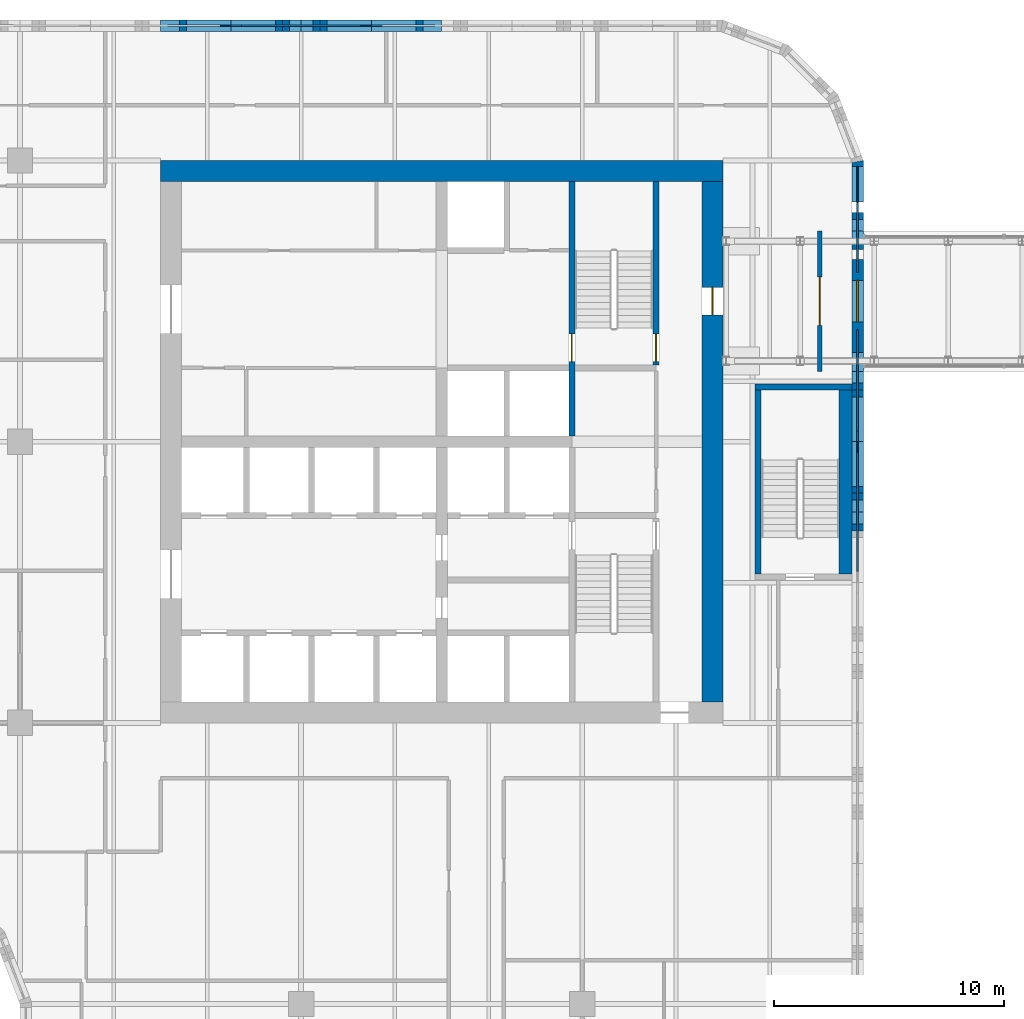
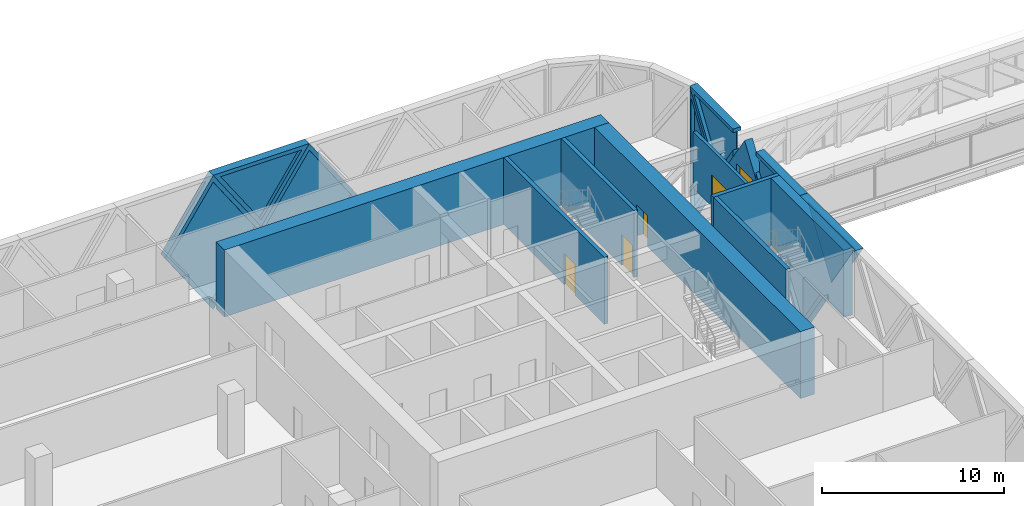
# One storey, part 18 of 30: 17 walls, 8 plates, 5 doors, 13 openings.
"""IFC4 building model written with IfcOpenShell, lengths in metres."""

from ifc_helpers import new_model, si_unit, direction, frame, frame_2d, origin, place, context, subcontext, project, spatial, polyline, rectangle, outline, extrude, faceted_brep, source, transform, mapped, material, layer, layer_set, type_object, element, fill, save


model = new_model("IFC4")

# Units and contexts
model_context = context("Model", 3, precision=1e-05, world=origin(), true_north=direction((0.0, 1.0)))
body_context = subcontext(model_context, "Body", "Model", "MODEL_VIEW")
ifc_project = project(units=[si_unit("LENGTHUNIT", "METRE"), si_unit("AREAUNIT", "SQUARE_METRE"), si_unit("VOLUMEUNIT", "CUBIC_METRE"), si_unit("PLANEANGLEUNIT", "RADIAN"), si_unit("MASSUNIT", "GRAM", prefix="KILO")], contexts=[model_context])

# Site, building, storey
site_placement = place(None, origin())
site = spatial("IfcSite", under=ifc_project, at=site_placement, CompositionType="ELEMENT")
building_placement = place(site_placement, origin())
building = spatial("IfcBuilding", under=site, at=building_placement, Name="Tessera Gate Towers", CompositionType="ELEMENT")
storey_placement = place(building_placement, frame((0.0, 0.0, 21.300048828125)))
storey = spatial("IfcBuildingStorey", under=building, at=storey_placement, Name="L04", CompositionType="ELEMENT", Elevation=21.300048828125)

# Wall, opening, door
ifc_material_1 = material(Name="Gypsum board on steel studs", Category="steel")
ifc_layer_1 = layer(ifc_material_1, 0.199951171875)
ifc_layer_set_1 = layer_set([ifc_layer_1], Name="BRIDGE LANDING WALL 200")
wall_type_1 = type_object("IfcWallType", Name="BRIDGE LANDING WALL 200", PredefinedType="PARTITIONING", material=ifc_layer_set_1)
wall_1_placement = place(storey_placement, frame((59.10009765625, 39.64990234375, 0.0), z_axis=(0.0, 0.0, 1.0), x_axis=(0.0, 1.0, 0.0)))
wall_1 = element("IfcWall", 1, at=wall_1_placement, inside=storey, type_object=wall_type_1, Name="L04 bridge landing wall", PredefinedType="PARTITIONING", context=body_context, shape_type="SweptSolid", body=[
    extrude(rectangle(XDim=6.10009765625, YDim=0.199951171875, at=frame_2d((3.050048828125, 0.0))), origin(), (0.0, 0.0, 1.0), 3.766845703125),
])
shared_shape_1 = source(origin(), body_context, "Body", "SweptSolid", [
    extrude(rectangle(XDim=2.10009765625, YDim=2.10009765625, at=frame_2d((1.050048828125, 1.050048828125))), frame((0.0, 0.10986328125, 0.0), z_axis=(0.0, -1.0, 0.0), x_axis=(1.0, 0.0, 0.0)), (0.0, 0.0, 1.0), 0.219970703125),
])
opening_1_placement = place(wall_1_placement, frame((2.0, 0.0, 0.0)))
opening_1 = element("IfcOpeningElement", 2, at=opening_1_placement, cuts=wall_1, Name="Opening XD-BR1-T1", PredefinedType="OPENING", context=body_context, shape_type="MappedRepresentation", body=[
    mapped(shared_shape_1, transform((0.0, 0.0, 0.0), scale=1.0)),
])
ifc_material_2 = material(Name="Hollow steel fire door", Category="steel")
door_type_1 = type_object("IfcDoorType", Name="CORE DOOR XD 2100x2100", OperationType="NOTDEFINED", PredefinedType="DOOR", material=ifc_material_2)
shared_shape_2 = source(origin(), body_context, "Body", "SweptSolid", [
    extrude(rectangle(XDim=2.10009765625, YDim=2.10009765625, at=frame_2d((1.050048828125, 1.050048828125))), frame((0.0, 0.02490234375, 0.0), z_axis=(0.0, -1.0, 0.0), x_axis=(1.0, 0.0, 0.0)), (0.0, 0.0, 1.0), 0.050048828125),
])
door_1_placement = place(opening_1_placement, origin())
door_1 = element("IfcDoor", 3, at=door_1_placement, inside=storey, type_object=door_type_1, Name="Bridge fire door", OperationType="DOUBLE_DOOR_SINGLE_SWING", OverallHeight=2.10009765625, OverallWidth=2.10009765625, PredefinedType="DOOR", context=body_context, shape_type="MappedRepresentation", body=[
    mapped(shared_shape_2, transform((0.0, 0.0, 0.0), scale=1.0)),
])
fill(opening_1, door_1)

ifc_material_3 = material(Name="Concrete C40/50", Category="concrete")
ifc_layer_2 = layer(ifc_material_3, 0.25)
ifc_layer_set_2 = layer_set([ifc_layer_2], Name="CORE ENCLOSURE WALL 250")
wall_type_2 = type_object("IfcWallType", Name="CORE ENCLOSURE WALL 250", PredefinedType="SOLIDWALL", material=ifc_layer_set_2)
wall_2_placement = place(storey_placement, frame((48.35009765625, 47.89990234375, 0.0), z_axis=(0.0, 0.0, 1.0), x_axis=(0.0, -1.0, 0.0)))
wall_2 = element("IfcWall", 4, at=wall_2_placement, inside=storey, type_object=wall_type_2, Name="L04 shaft and stair enclosure wall", PredefinedType="SOLIDWALL", context=body_context, shape_type="SweptSolid", body=[
    extrude(rectangle(XDim=11.0498046875, YDim=0.25, at=frame_2d((5.52490234375, 0.0))), origin(), (0.0, 0.0, 1.0), 4.5),
])
shared_shape_3 = source(origin(), body_context, "Body", "SweptSolid", [
    extrude(rectangle(XDim=1.199951171875, YDim=2.10009765625, at=frame_2d((0.60009765625, 1.050048828125))), frame((0.0, 0.135009765625, 0.0), z_axis=(0.0, -1.0, 0.0), x_axis=(1.0, 0.0, 0.0)), (0.0, 0.0, 1.0), 0.27001953125),
])
opening_2_placement = place(wall_2_placement, frame((6.625, 0.0, 0.0)))
opening_2 = element("IfcOpeningElement", 5, at=opening_2_placement, cuts=wall_2, Name="Opening SD-ST2-1", PredefinedType="OPENING", context=body_context, shape_type="MappedRepresentation", body=[
    mapped(shared_shape_3, transform((0.0, 0.0, 0.0), scale=1.0)),
])
ifc_material_4 = material(Name="Hollow steel fire door", Category="steel")
door_type_2 = type_object("IfcDoorType", Name="CORE DOOR SD 1200x2100", OperationType="NOTDEFINED", PredefinedType="DOOR", material=ifc_material_4)
shared_shape_4 = source(origin(), body_context, "Body", "SweptSolid", [
    extrude(rectangle(XDim=1.199951171875, YDim=2.10009765625, at=frame_2d((0.60009765625, 1.050048828125))), frame((0.0, 0.02490234375, 0.0), z_axis=(0.0, -1.0, 0.0), x_axis=(1.0, 0.0, 0.0)), (0.0, 0.0, 1.0), 0.050048828125),
])
door_2_placement = place(opening_2_placement, origin())
door_2 = element("IfcDoor", 6, at=door_2_placement, inside=storey, type_object=door_type_2, Name="Stair door", OperationType="SINGLE_SWING_RIGHT", OverallHeight=2.10009765625, OverallWidth=1.199951171875, PredefinedType="DOOR", context=body_context, shape_type="MappedRepresentation", body=[
    mapped(shared_shape_4, transform((0.0, 0.0, 0.0), scale=1.0)),
])
fill(opening_2, door_2)

wall_3_placement = place(storey_placement, frame((52.0, 39.925048828125, 0.0), z_axis=(0.0, 0.0, 1.0), x_axis=(0.0, 1.0, 0.0)))
wall_3 = element("IfcWall", 7, at=wall_3_placement, inside=storey, type_object=wall_type_2, Name="L04 shaft and stair enclosure wall", PredefinedType="SOLIDWALL", context=body_context, shape_type="SweptSolid", body=[
    extrude(rectangle(XDim=7.974853515625, YDim=0.25, at=frame_2d((3.9873046875, 0.0))), origin(), (0.0, 0.0, 1.0), 4.5),
])
opening_3_placement = place(wall_3_placement, frame((0.14990234375, 0.0, 0.0)))
opening_3 = element("IfcOpeningElement", 8, at=opening_3_placement, cuts=wall_3, Name="Opening SD-ST2-2", PredefinedType="OPENING", context=body_context, shape_type="MappedRepresentation", body=[
    mapped(shared_shape_3, transform((0.0, 0.0, 0.0), scale=1.0)),
])
door_3_placement = place(opening_3_placement, origin())
door_3 = element("IfcDoor", 9, at=door_3_placement, inside=storey, type_object=door_type_2, Name="Stair door", OperationType="SINGLE_SWING_LEFT", OverallHeight=2.10009765625, OverallWidth=1.199951171875, PredefinedType="DOOR", context=body_context, shape_type="MappedRepresentation", body=[
    mapped(shared_shape_4, transform((0.0, 0.0, 0.0), scale=1.0)),
])
fill(opening_3, door_3)

# Walls
wall_4_placement = place(storey_placement, frame((56.425048828125, 30.85009765625, 0.0), z_axis=(0.0, 0.0, 1.0), x_axis=(0.0, 1.0, 0.0)))
element("IfcWall", 10, at=wall_4_placement, inside=storey, type_object=wall_type_2, Name="L04 ST5 enclosure wall", PredefinedType="SOLIDWALL", context=body_context, shape_type="SweptSolid", body=[
    extrude(rectangle(XDim=8.0, YDim=0.25, at=frame_2d((4.0, 0.0))), origin(), (0.0, 0.0, 1.0), 4.5),
])
wall_5_placement = place(storey_placement, frame((56.300048828125, 38.97509765625, 0.0), z_axis=(0.0, 0.0, 1.0), x_axis=(1.0, 0.0, 0.0)))
element("IfcWall", 11, at=wall_5_placement, inside=storey, type_object=wall_type_2, Name="L04 ST5 enclosure wall", PredefinedType="SOLIDWALL", context=body_context, shape_type="SweptSolid", body=[
    extrude(rectangle(XDim=4.199951171875, YDim=0.25, at=frame_2d((2.10009765625, 0.0))), origin(), (0.0, 0.0, 1.0), 4.5),
])
ifc_material_5 = material(Name="Concrete C40/50", Category="concrete")
ifc_layer_3 = layer(ifc_material_5, 0.550048828125)
ifc_layer_set_3 = layer_set([ifc_layer_3], Name="CORE ENCLOSURE WALL 550")
wall_type_3 = type_object("IfcWallType", Name="CORE ENCLOSURE WALL 550", PredefinedType="SOLIDWALL", material=ifc_layer_set_3)
wall_6_placement = place(storey_placement, frame((60.22509765625, 38.85009765625, 0.0), z_axis=(0.0, 0.0, 1.0), x_axis=(0.0, -1.0, 0.0)))
element("IfcWall", 12, at=wall_6_placement, inside=storey, type_object=wall_type_3, Name="L04 ST5 enclosure wall", PredefinedType="SOLIDWALL", context=body_context, shape_type="SweptSolid", body=[
    extrude(rectangle(XDim=8.0, YDim=0.550048828125, at=frame_2d((4.0, 0.0))), origin(), (0.0, 0.0, 1.0), 4.5),
])
ifc_material_6 = material(Name="Concrete C70/85", Category="concrete")
ifc_layer_4 = layer(ifc_material_6, 0.89990234375)
ifc_layer_set_4 = layer_set([ifc_layer_4], Name="CORE SHEAR WALL 900 C70/85")
wall_type_4 = type_object("IfcWallType", Name="CORE SHEAR WALL 900 C70/85", PredefinedType="SHEAR", material=ifc_layer_set_4)
wall_7_placement = place(storey_placement, frame((30.5, 48.35009765625, 0.0), z_axis=(0.0, 0.0, 1.0), x_axis=(1.0, 0.0, 0.0)))
element("IfcWall", 13, at=wall_7_placement, inside=storey, type_object=wall_type_4, Name="Core wall N L04", PredefinedType="SHEAR", context=body_context, shape_type="SweptSolid", body=[
    extrude(rectangle(XDim=24.39990234375, YDim=0.89990234375, at=frame_2d((12.199951171875, 0.0))), origin(), (0.0, 0.0, 1.0), 4.5),
])

# Wall, opening, door
wall_8_placement = place(storey_placement, frame((54.449951171875, 47.89990234375, 0.0), z_axis=(0.0, 0.0, 1.0), x_axis=(0.0, -1.0, 0.0)))
wall_8 = element("IfcWall", 14, at=wall_8_placement, inside=storey, type_object=wall_type_4, Name="Core wall E L04", PredefinedType="SHEAR", context=body_context, shape_type="SweptSolid", body=[
    extrude(rectangle(XDim=22.599853515625, YDim=0.89990234375, at=frame_2d((11.2998046875, 0.0))), origin(), (0.0, 0.0, 1.0), 4.5),
])
shared_shape_5 = source(origin(), body_context, "Body", "SweptSolid", [
    extrude(rectangle(XDim=1.199951171875, YDim=2.10009765625, at=frame_2d((0.60009765625, 1.050048828125))), frame((0.0, 0.4599609375, 0.0), z_axis=(0.0, -1.0, 0.0), x_axis=(1.0, 0.0, 0.0)), (0.0, 0.0, 1.0), 0.919921875),
])
opening_4_placement = place(wall_8_placement, frame((4.60009765625, 0.0, 0.0)))
opening_4 = element("IfcOpeningElement", 15, at=opening_4_placement, cuts=wall_8, Name="Opening ED-T1-05-04", PredefinedType="OPENING", context=body_context, shape_type="MappedRepresentation", body=[
    mapped(shared_shape_5, transform((0.0, 0.0, 0.0), scale=1.0)),
])
ifc_material_7 = material(Name="Hollow steel fire door", Category="steel")
door_type_3 = type_object("IfcDoorType", Name="CORE DOOR ED 1200x2100", OperationType="NOTDEFINED", PredefinedType="DOOR", material=ifc_material_7)
door_4_placement = place(opening_4_placement, origin())
door_4 = element("IfcDoor", 16, at=door_4_placement, inside=storey, type_object=door_type_3, Name="Core exit door", OperationType="SINGLE_SWING_LEFT", OverallHeight=2.10009765625, OverallWidth=1.199951171875, PredefinedType="DOOR", context=body_context, shape_type="MappedRepresentation", body=[
    mapped(shared_shape_4, transform((0.0, 0.0, 0.0), scale=1.0)),
])
fill(opening_4, door_4)

# Wall, opening, plate
ifc_material_8 = material(Name="Precast concrete C60/75 white", Category="concrete")
ifc_layer_5 = layer(ifc_material_8, 0.5)
ifc_layer_set_5 = layer_set([ifc_layer_5], Name="TS1 tessera")
wall_type_5 = type_object("IfcWallType", Name="TS1 tessera", PredefinedType="SOLIDWALL", material=ifc_layer_set_5)
shared_shape_6 = source(origin(), body_context, "Body", "Brep", [
    faceted_brep([(3.050048828125, -0.25, 0.0), (6.099853515625, -0.25, 4.499755859375), (6.099853515625, -0.25, 4.500244140625), (3.050048828125, -0.25, 9.0), (0.0, -0.25, 4.5), (0.0, 0.25, 4.5), (3.050048828125, 0.25, 9.0), (6.099853515625, 0.25, 4.500244140625), (6.099853515625, 0.25, 4.499755859375), (3.050048828125, 0.25, 0.0)], [[[0, 1, 2, 3, 4]], [[5, 6, 7, 8, 9]], [[9, 8, 1, 0]], [[7, 6, 3, 2]], [[6, 5, 4, 3]], [[5, 9, 0, 4]], [[1, 8, 7, 2]]]),
])
wall_9_placement = place(storey_placement, frame((60.75, 33.550048828125, -4.5), z_axis=(0.0, 0.0, 1.0), x_axis=(0.0, 1.0, 0.0)))
wall_9 = element("IfcWall", 17, at=wall_9_placement, inside=storey, type_object=wall_type_5, Name="Precast tessera T1 TS1-0009", PredefinedType="SOLIDWALL", context=body_context, shape_type="MappedRepresentation", body=[
    mapped(shared_shape_6, transform((0.0, 0.0, 0.0), scale=1.0)),
])
shared_shape_7 = source(origin(), body_context, "Body", "SweptSolid", [
    extrude(outline(polyline([(3.050048828125, 0.445556640625), (5.798095703125, 4.5), (3.050048828125, 8.554443359375), (0.302001953125, 4.5), (3.050048828125, 0.445556640625)])), frame((0.0, 0.260009765625, 0.0), z_axis=(0.0, -1.0, 0.0), x_axis=(1.0, 0.0, 0.0)), (0.0, 0.0, 1.0), 0.52001953125),
])
opening_5_placement = place(wall_9_placement, origin())
opening_5 = element("IfcOpeningElement", 18, at=opening_5_placement, cuts=wall_9, Name="Opening T1-PL2-0013", PredefinedType="OPENING", context=body_context, shape_type="MappedRepresentation", body=[
    mapped(shared_shape_7, transform((0.0, 0.0, 0.0), scale=1.0)),
])
ifc_material_9 = material(Name="Low-e laminated glass", Category="glass")
ifc_layer_6 = layer(ifc_material_9, 0.06005859375)
ifc_layer_set_6 = layer_set([ifc_layer_6], Name="PL2 rhombic pane")
plate_type_1 = type_object("IfcPlateType", Name="PL2 rhombic pane", PredefinedType="SHEET", material=ifc_layer_set_6)
shared_shape_8 = source(origin(), body_context, "Body", "SweptSolid", [
    extrude(outline(polyline([(3.050048828125, 0.445556640625), (5.798095703125, 4.5), (3.050048828125, 8.554443359375), (0.302001953125, 4.5), (3.050048828125, 0.445556640625)])), frame((0.0, 0.030029296875, 0.0), z_axis=(0.0, -1.0, 0.0), x_axis=(1.0, 0.0, 0.0)), (0.0, 0.0, 1.0), 0.06005859375),
])
plate_1_placement = place(opening_5_placement, origin())
plate_1 = element("IfcPlate", 19, at=plate_1_placement, inside=storey, type_object=plate_type_1, Name="Glass pane T1 PL2-0013", PredefinedType="SHEET", context=body_context, shape_type="MappedRepresentation", body=[
    mapped(shared_shape_8, transform((0.0, 0.0, 0.0), scale=1.0)),
])
fill(opening_5, plate_1)

wall_10_placement = place(storey_placement, frame((42.699951171875, 54.64990234375, -4.5), z_axis=(0.0, 0.0, 1.0), x_axis=(-1.0, 0.0, 0.0)))
wall_10 = element("IfcWall", 20, at=wall_10_placement, inside=storey, type_object=wall_type_5, Name="Precast tessera T1 TS1-0012", PredefinedType="SOLIDWALL", context=body_context, shape_type="MappedRepresentation", body=[
    mapped(shared_shape_6, transform((0.0, 0.0, 0.0), scale=1.0)),
])
opening_6_placement = place(wall_10_placement, origin())
opening_6 = element("IfcOpeningElement", 21, at=opening_6_placement, cuts=wall_10, Name="Opening T1-PL2-0020", PredefinedType="OPENING", context=body_context, shape_type="MappedRepresentation", body=[
    mapped(shared_shape_7, transform((0.0, 0.0, 0.0), scale=1.0)),
])
plate_2_placement = place(opening_6_placement, origin())
plate_2 = element("IfcPlate", 22, at=plate_2_placement, inside=storey, type_object=plate_type_1, Name="Glass pane T1 PL2-0020", PredefinedType="SHEET", context=body_context, shape_type="MappedRepresentation", body=[
    mapped(shared_shape_8, transform((0.0, 0.0, 0.0), scale=1.0)),
])
fill(opening_6, plate_2)

shared_shape_9 = source(origin(), body_context, "Body", "SweptSolid", [
    extrude(outline(polyline([(3.050048828125, 0.0), (6.10009765625, 4.5), (3.050048828125, 9.0), (0.0, 4.5), (3.050048828125, 0.0)])), frame((0.0, 0.25, 0.0), z_axis=(0.0, -1.0, 0.0), x_axis=(1.0, 0.0, 0.0)), (0.0, 0.0, 1.0), 0.5),
])
wall_11_placement = place(storey_placement, frame((36.60009765625, 54.64990234375, -4.5), z_axis=(0.0, 0.0, 1.0), x_axis=(-1.0, 0.0, 0.0)))
wall_11 = element("IfcWall", 23, at=wall_11_placement, inside=storey, type_object=wall_type_5, Name="Precast tessera T1 TS1-0013", PredefinedType="SOLIDWALL", context=body_context, shape_type="MappedRepresentation", body=[
    mapped(shared_shape_9, transform((0.0, 0.0, 0.0), scale=1.0)),
])
opening_7_placement = place(wall_11_placement, origin())
opening_7 = element("IfcOpeningElement", 24, at=opening_7_placement, cuts=wall_11, Name="Opening T1-PL2-0021", PredefinedType="OPENING", context=body_context, shape_type="MappedRepresentation", body=[
    mapped(shared_shape_7, transform((0.0, 0.0, 0.0), scale=1.0)),
])
plate_3_placement = place(opening_7_placement, origin())
plate_3 = element("IfcPlate", 25, at=plate_3_placement, inside=storey, type_object=plate_type_1, Name="Glass pane T1 PL2-0021", PredefinedType="SHEET", context=body_context, shape_type="MappedRepresentation", body=[
    mapped(shared_shape_8, transform((0.0, 0.0, 0.0), scale=1.0)),
])
fill(opening_7, plate_3)

# Wall, opening, door
ifc_material_10 = material(Name="Precast concrete C60/75 white", Category="concrete")
ifc_layer_7 = layer(ifc_material_10, 0.5)
ifc_layer_set_7 = layer_set([ifc_layer_7], Name="TS4 bridge door tessera")
wall_type_6 = type_object("IfcWallType", Name="TS4 bridge door tessera", PredefinedType="SOLIDWALL", material=ifc_layer_set_7)
shared_shape_10 = source(origin(), body_context, "Body", "SweptSolid", [
    extrude(outline(polyline([(3.050048828125, 0.0), (4.85009765625, 2.65576171875), (4.85009765625, 6.34423828125), (3.050048828125, 9.0), (0.0, 4.5), (3.050048828125, 0.0)])), frame((0.0, 0.25, 0.0), z_axis=(0.0, -1.0, 0.0), x_axis=(1.0, 0.0, 0.0)), (0.0, 0.0, 1.0), 0.5),
])
wall_12_placement = place(storey_placement, frame((60.75, 39.64990234375, -4.5), z_axis=(0.0, 0.0, 1.0), x_axis=(0.0, 1.0, 0.0)))
wall_12 = element("IfcWall", 26, at=wall_12_placement, inside=storey, type_object=wall_type_6, Name="Precast bridge door tessera T1 TS4-0002", PredefinedType="SOLIDWALL", context=body_context, shape_type="MappedRepresentation", body=[
    mapped(shared_shape_10, transform((0.0, 0.0, 0.0), scale=1.0)),
])
shared_shape_11 = source(origin(), body_context, "Body", "SweptSolid", [
    extrude(rectangle(XDim=1.800048828125, YDim=2.39990234375, at=frame_2d((0.89990234375, 1.199951171875))), frame((0.0, 0.260009765625, 0.0), z_axis=(0.0, -1.0, 0.0), x_axis=(1.0, 0.0, 0.0)), (0.0, 0.0, 1.0), 0.52001953125),
])
opening_8_placement = place(wall_12_placement, frame((2.14990234375, 0.0, 4.5)))
opening_8 = element("IfcOpeningElement", 27, at=opening_8_placement, cuts=wall_12, Name="Opening D-E101", PredefinedType="OPENING", context=body_context, shape_type="MappedRepresentation", body=[
    mapped(shared_shape_11, transform((0.0, 0.0, 0.0), scale=1.0)),
])
ifc_material_11 = material(Name="Steel and glass fire door", Category="steel")
ifc_layer_8 = layer(ifc_material_11, 0.06005859375)
ifc_layer_set_8 = layer_set([ifc_layer_8], Name="DL5 tessera fire door")
door_type_4 = type_object("IfcDoorType", Name="DL5 tessera fire door", OperationType="DOUBLE_DOOR_SINGLE_SWING", PredefinedType="DOOR", material=ifc_layer_set_8)
shared_shape_12 = source(origin(), body_context, "Body", "SweptSolid", [
    extrude(rectangle(XDim=1.800048828125, YDim=2.39990234375, at=frame_2d((0.89990234375, 1.199951171875))), frame((0.0, 0.030029296875, 0.0), z_axis=(0.0, -1.0, 0.0), x_axis=(1.0, 0.0, 0.0)), (0.0, 0.0, 1.0), 0.06005859375),
])
door_5_placement = place(opening_8_placement, origin())
door_5 = element("IfcDoor", 28, at=door_5_placement, inside=storey, type_object=door_type_4, Name="Bridge door D-E101", OperationType="DOUBLE_DOOR_SINGLE_SWING", OverallHeight=2.39990234375, OverallWidth=1.800048828125, PredefinedType="DOOR", context=body_context, shape_type="MappedRepresentation", body=[
    mapped(shared_shape_12, transform((0.0, 0.0, 0.0), scale=1.0)),
])
fill(opening_8, door_5)

# Wall, opening, plate
ifc_material_12 = material(Name="Precast concrete C60/75 white", Category="concrete")
ifc_layer_9 = layer(ifc_material_12, 0.5)
ifc_layer_set_9 = layer_set([ifc_layer_9], Name="TS3 corner tessera")
wall_type_7 = type_object("IfcWallType", Name="TS3 corner tessera", PredefinedType="SOLIDWALL", material=ifc_layer_set_9)
shared_shape_13 = source(origin(), body_context, "Body", "Brep", [
    faceted_brep([(1.75341796875, -0.25, 0.0), (1.800048828125, -0.25, 0.071044921875), (1.800048828125, -0.25, 8.928955078125), (1.75341796875, -0.25, 9.0), (0.0, -0.25, 6.372802734375), (0.0, -0.25, 2.627197265625), (0.0, 0.25, 2.627197265625), (0.0, 0.25, 6.372802734375), (1.706787109375, 0.25, 8.930419921875), (1.706787109375, 0.25, 0.069580078125), (1.75341796875, 0.000244140625, 0.0), (1.75341796875, 0.000244140625, 9.0)], [[[0, 1, 2, 3, 4, 5]], [[6, 7, 8, 9]], [[1, 0, 10]], [[11, 3, 2]], [[8, 7, 4, 3, 11]], [[7, 6, 5, 4]], [[6, 9, 10, 0, 5]], [[1, 10, 9, 8, 11, 2]]]),
])
wall_13_placement = place(storey_placement, frame((60.75, 47.0, -4.5), z_axis=(0.0, 0.0, 1.0), x_axis=(0.0, 1.0, 0.0)))
wall_13 = element("IfcWall", 29, at=wall_13_placement, inside=storey, type_object=wall_type_7, Name="Precast corner tessera T1 TS3-0029", PredefinedType="SOLIDWALL", context=body_context, shape_type="MappedRepresentation", body=[
    mapped(shared_shape_13, transform((0.0, 0.0, 0.0), scale=1.0)),
])
shared_shape_14 = source(origin(), body_context, "Body", "SweptSolid", [
    extrude(outline(polyline([(1.553466796875, 8.25), (0.0, 5.92236328125), (0.0, 3.077392578125), (1.553466796875, 0.75), (1.553466796875, 8.25)])), frame((0.0, 0.260009765625, 0.0), z_axis=(0.0, -1.0, 0.0), x_axis=(1.0, 0.0, 0.0)), (0.0, 0.0, 1.0), 0.52001953125),
])
opening_9_placement = place(wall_13_placement, origin())
opening_9 = element("IfcOpeningElement", 30, at=opening_9_placement, cuts=wall_13, Name="Opening T1-PL2-0014", PredefinedType="OPENING", context=body_context, shape_type="MappedRepresentation", body=[
    mapped(shared_shape_14, transform((0.0, 0.0, 0.0), scale=1.0)),
])
shared_shape_15 = source(origin(), body_context, "Body", "SweptSolid", [
    extrude(outline(polyline([(1.553466796875, 8.25), (0.0, 5.92236328125), (0.0, 3.077392578125), (1.553466796875, 0.75), (1.553466796875, 8.25)])), frame((0.0, 0.030029296875, 0.0), z_axis=(0.0, -1.0, 0.0), x_axis=(1.0, 0.0, 0.0)), (0.0, 0.0, 1.0), 0.06005859375),
])
plate_4_placement = place(opening_9_placement, origin())
plate_4 = element("IfcPlate", 31, at=plate_4_placement, inside=storey, type_object=plate_type_1, Name="Glass pane T1 PL2-0014", PredefinedType="SHEET", context=body_context, shape_type="MappedRepresentation", body=[
    mapped(shared_shape_15, transform((0.0, 0.0, 0.0), scale=1.0)),
])
fill(opening_9, plate_4)

ifc_material_13 = material(Name="Precast concrete C60/75 white", Category="concrete")
ifc_layer_10 = layer(ifc_material_13, 0.5)
ifc_layer_set_10 = layer_set([ifc_layer_10], Name="TS2 half tessera")
wall_type_8 = type_object("IfcWallType", Name="TS2 half tessera", PredefinedType="SOLIDWALL", material=ifc_layer_set_10)
shared_shape_16 = source(origin(), body_context, "Body", "Brep", [
    faceted_brep([(3.050048828125, -0.25, 0.0), (6.099853515625, -0.25, 4.499755859375), (6.099853515625, -0.25, 4.5), (0.0, -0.25, 4.5), (0.0, 0.25, 4.5), (6.099853515625, 0.25, 4.5), (6.099853515625, 0.25, 4.499755859375), (3.050048828125, 0.25, 0.0)], [[[0, 1, 2, 3]], [[4, 5, 6, 7]], [[7, 6, 1, 0]], [[5, 4, 3, 2]], [[4, 7, 0, 3]], [[1, 6, 5, 2]]]),
])
wall_14_placement = place(storey_placement, frame((39.64990234375, 54.64990234375, 0.0), z_axis=(0.0, 0.0, 1.0), x_axis=(-1.0, 0.0, 0.0)))
wall_14 = element("IfcWall", 32, at=wall_14_placement, inside=storey, type_object=wall_type_8, Name="Precast half tessera T1 TS2-0035", PredefinedType="SOLIDWALL", context=body_context, shape_type="MappedRepresentation", body=[
    mapped(shared_shape_16, transform((0.0, 0.0, 0.0), scale=1.0)),
])
shared_shape_17 = source(origin(), body_context, "Body", "SweptSolid", [
    extrude(outline(polyline([(3.050048828125, 0.445556640625), (5.628662109375, 4.25), (0.471435546875, 4.25), (3.050048828125, 0.445556640625)])), frame((0.0, 0.260009765625, 0.0), z_axis=(0.0, -1.0, 0.0), x_axis=(1.0, 0.0, 0.0)), (0.0, 0.0, 1.0), 0.52001953125),
])
opening_10_placement = place(wall_14_placement, origin())
opening_10 = element("IfcOpeningElement", 33, at=opening_10_placement, cuts=wall_14, Name="Opening T1-PL1-0069", PredefinedType="OPENING", context=body_context, shape_type="MappedRepresentation", body=[
    mapped(shared_shape_17, transform((0.0, 0.0, 0.0), scale=1.0)),
])
ifc_material_14 = material(Name="Low-e laminated glass", Category="glass")
ifc_layer_11 = layer(ifc_material_14, 0.06005859375)
ifc_layer_set_11 = layer_set([ifc_layer_11], Name="PL1 triangular pane")
plate_type_2 = type_object("IfcPlateType", Name="PL1 triangular pane", PredefinedType="SHEET", material=ifc_layer_set_11)
shared_shape_18 = source(origin(), body_context, "Body", "SweptSolid", [
    extrude(outline(polyline([(3.050048828125, 0.445556640625), (5.628662109375, 4.25), (0.471435546875, 4.25), (3.050048828125, 0.445556640625)])), frame((0.0, 0.030029296875, 0.0), z_axis=(0.0, -1.0, 0.0), x_axis=(1.0, 0.0, 0.0)), (0.0, 0.0, 1.0), 0.06005859375),
])
plate_5_placement = place(opening_10_placement, origin())
plate_5 = element("IfcPlate", 34, at=plate_5_placement, inside=storey, type_object=plate_type_2, Name="Glass pane T1 PL1-0069", PredefinedType="SHEET", context=body_context, shape_type="MappedRepresentation", body=[
    mapped(shared_shape_18, transform((0.0, 0.0, 0.0), scale=1.0)),
])
fill(opening_10, plate_5)

shared_shape_19 = source(origin(), body_context, "Body", "SweptSolid", [
    extrude(outline(polyline([(3.050048828125, 0.0), (6.10009765625, 4.5), (0.0, 4.5), (3.050048828125, 0.0)])), frame((0.0, 0.25, 0.0), z_axis=(0.0, -1.0, 0.0), x_axis=(1.0, 0.0, 0.0)), (0.0, 0.0, 1.0), 0.5),
])
wall_15_placement = place(storey_placement, frame((60.75, 30.5, 0.0), z_axis=(0.0, 0.0, 1.0), x_axis=(0.0, 1.0, 0.0)))
wall_15 = element("IfcWall", 35, at=wall_15_placement, inside=storey, type_object=wall_type_8, Name="Precast half tessera T1 TS2-0030", PredefinedType="SOLIDWALL", context=body_context, shape_type="MappedRepresentation", body=[
    mapped(shared_shape_19, transform((0.0, 0.0, 0.0), scale=1.0)),
])
opening_11_placement = place(wall_15_placement, origin())
opening_11 = element("IfcOpeningElement", 36, at=opening_11_placement, cuts=wall_15, Name="Opening T1-PL1-0060", PredefinedType="OPENING", context=body_context, shape_type="MappedRepresentation", body=[
    mapped(shared_shape_17, transform((0.0, 0.0, 0.0), scale=1.0)),
])
plate_6_placement = place(opening_11_placement, origin())
plate_6 = element("IfcPlate", 37, at=plate_6_placement, inside=storey, type_object=plate_type_2, Name="Glass pane T1 PL1-0060", PredefinedType="SHEET", context=body_context, shape_type="MappedRepresentation", body=[
    mapped(shared_shape_18, transform((0.0, 0.0, 0.0), scale=1.0)),
])
fill(opening_11, plate_6)

shared_shape_20 = source(origin(), body_context, "Body", "Brep", [
    faceted_brep([(3.050048828125, -0.25, 0.0), (4.849853515625, -0.25, 2.655517578125), (4.849853515625, -0.25, 4.5), (0.0, -0.25, 4.5), (0.0, 0.25, 4.5), (4.849853515625, 0.25, 4.5), (4.849853515625, 0.25, 2.655517578125), (3.050048828125, 0.25, 0.0)], [[[0, 1, 2, 3]], [[4, 5, 6, 7]], [[7, 6, 1, 0]], [[5, 4, 3, 2]], [[4, 7, 0, 3]], [[1, 6, 5, 2]]]),
])
wall_16_placement = place(storey_placement, frame((60.75, 36.60009765625, 0.0), z_axis=(0.0, 0.0, 1.0), x_axis=(0.0, 1.0, 0.0)))
wall_16 = element("IfcWall", 38, at=wall_16_placement, inside=storey, type_object=wall_type_8, Name="Precast half tessera T1 TS2-0031", PredefinedType="SOLIDWALL", context=body_context, shape_type="MappedRepresentation", body=[
    mapped(shared_shape_20, transform((0.0, 0.0, 0.0), scale=1.0)),
])
shared_shape_21 = source(origin(), body_context, "Body", "SweptSolid", [
    extrude(outline(polyline([(3.050048828125, 0.445556640625), (4.85009765625, 3.101318359375), (4.85009765625, 4.25), (0.471435546875, 4.25), (3.050048828125, 0.445556640625)])), frame((0.0, 0.260009765625, 0.0), z_axis=(0.0, -1.0, 0.0), x_axis=(1.0, 0.0, 0.0)), (0.0, 0.0, 1.0), 0.52001953125),
])
opening_12_placement = place(wall_16_placement, origin())
opening_12 = element("IfcOpeningElement", 39, at=opening_12_placement, cuts=wall_16, Name="Opening T1-PL1-0061", PredefinedType="OPENING", context=body_context, shape_type="MappedRepresentation", body=[
    mapped(shared_shape_21, transform((0.0, 0.0, 0.0), scale=1.0)),
])
shared_shape_22 = source(origin(), body_context, "Body", "SweptSolid", [
    extrude(outline(polyline([(3.050048828125, 0.445556640625), (4.85009765625, 3.101318359375), (4.85009765625, 4.25), (0.471435546875, 4.25), (3.050048828125, 0.445556640625)])), frame((0.0, 0.030029296875, 0.0), z_axis=(0.0, -1.0, 0.0), x_axis=(1.0, 0.0, 0.0)), (0.0, 0.0, 1.0), 0.06005859375),
])
plate_7_placement = place(opening_12_placement, origin())
plate_7 = element("IfcPlate", 40, at=plate_7_placement, inside=storey, type_object=plate_type_2, Name="Glass pane T1 PL1-0061", PredefinedType="SHEET", context=body_context, shape_type="MappedRepresentation", body=[
    mapped(shared_shape_22, transform((0.0, 0.0, 0.0), scale=1.0)),
])
fill(opening_12, plate_7)

shared_shape_23 = source(origin(), body_context, "Body", "Brep", [
    faceted_brep([(1.800048828125, -0.25, 0.0), (4.803466796875, -0.25, 4.5), (0.0, -0.25, 4.5), (0.0, -0.25, 2.65576171875), (0.0, 0.25, 2.65576171875), (0.0, 0.25, 4.5), (4.7568359375, 0.25, 4.5), (4.7568359375, 0.25, 4.43017578125), (1.800048828125, 0.25, 0.0), (4.803466796875, 0.0, 4.5)], [[[0, 1, 2, 3]], [[4, 5, 6, 7, 8]], [[8, 7, 9, 1, 0]], [[6, 5, 2, 1, 9]], [[5, 4, 3, 2]], [[4, 8, 0, 3]], [[7, 6, 9]]]),
])
wall_17_placement = place(storey_placement, frame((60.75, 43.949951171875, 0.0), z_axis=(0.0, 0.0, 1.0), x_axis=(0.0, 1.0, 0.0)))
wall_17 = element("IfcWall", 41, at=wall_17_placement, inside=storey, type_object=wall_type_8, Name="Precast half tessera T1 TS2-0032", PredefinedType="SOLIDWALL", context=body_context, shape_type="MappedRepresentation", body=[
    mapped(shared_shape_23, transform((0.0, 0.0, 0.0), scale=1.0)),
])
shared_shape_24 = source(origin(), body_context, "Body", "SweptSolid", [
    extrude(outline(polyline([(1.79833984375, 0.447998046875), (4.3359375, 4.25), (0.0, 4.25), (0.0, 3.101318359375), (1.79833984375, 0.447998046875)])), frame((0.0, 0.260009765625, 0.0), z_axis=(0.0, -1.0, 0.0), x_axis=(1.0, 0.0, 0.0)), (0.0, 0.0, 1.0), 0.52001953125),
])
opening_13_placement = place(wall_17_placement, origin())
opening_13 = element("IfcOpeningElement", 42, at=opening_13_placement, cuts=wall_17, Name="Opening T1-PL1-0062", PredefinedType="OPENING", context=body_context, shape_type="MappedRepresentation", body=[
    mapped(shared_shape_24, transform((0.0, 0.0, 0.0), scale=1.0)),
])
shared_shape_25 = source(origin(), body_context, "Body", "SweptSolid", [
    extrude(outline(polyline([(1.79833984375, 0.447998046875), (4.3359375, 4.25), (0.0, 4.25), (0.0, 3.101318359375), (1.79833984375, 0.447998046875)])), frame((0.0, 0.030029296875, 0.0), z_axis=(0.0, -1.0, 0.0), x_axis=(1.0, 0.0, 0.0)), (0.0, 0.0, 1.0), 0.06005859375),
])
plate_8_placement = place(opening_13_placement, origin())
plate_8 = element("IfcPlate", 43, at=plate_8_placement, inside=storey, type_object=plate_type_2, Name="Glass pane T1 PL1-0062", PredefinedType="SHEET", context=body_context, shape_type="MappedRepresentation", body=[
    mapped(shared_shape_25, transform((0.0, 0.0, 0.0), scale=1.0)),
])
fill(opening_13, plate_8)

save(model, "model.ifc")
